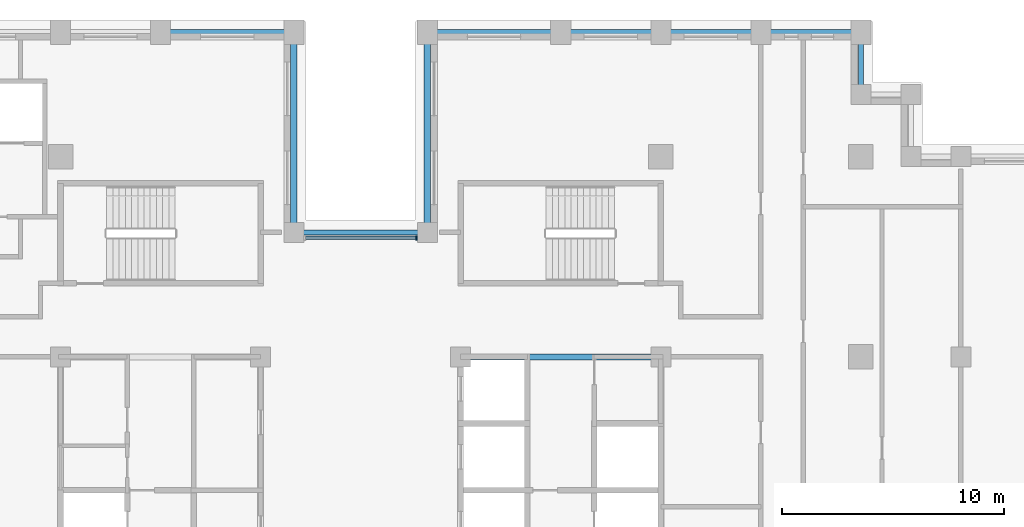
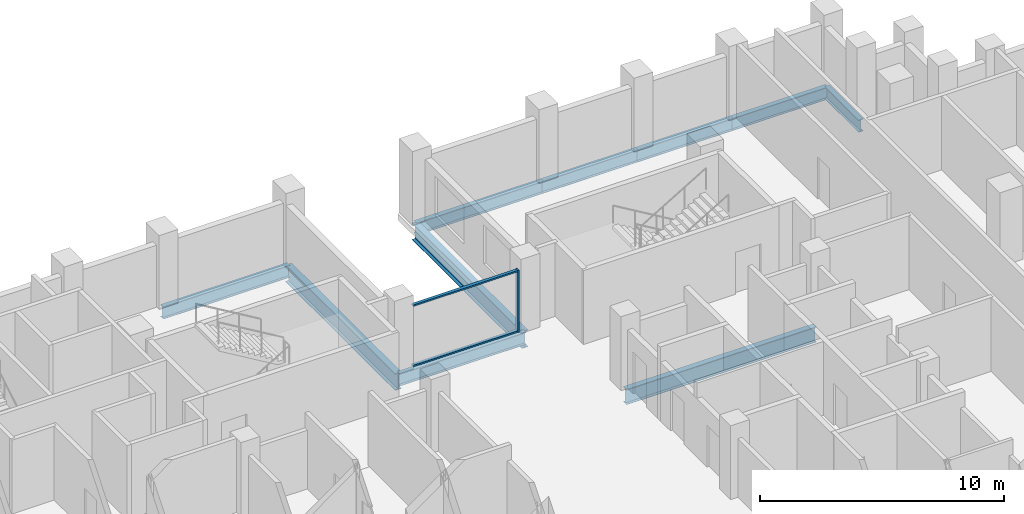
# One storey, part 4 of 16: 10 beams, 3 members, 1 element without a shape of its own.
"""IFC4 building model written with IfcOpenShell, lengths in metres."""

import ifcopenshell
import ifcopenshell.guid

model = None  # the IFC model being written
_history = None  # IfcOwnerHistory: only IFC2X3 demands one
_inside = {}  # id of a spatial element -> (the spatial element, [elements in it])
_under = {}  # id of a project, library or spatial element -> (it, [spatial elements below it])
_declared = {}  # id of a project -> (the project, [libraries it declares])
_typed = {}  # id of a type object -> (the type object, [elements of that type])
_made_of = {}  # id of a material, layer set ... -> (it, [elements and type objects made of it])


def new_model(schema):
    """Start an empty IFC model of exactly this schema.

    Asked for "IFC4X3", IfcOpenShell would pick the latest addendum, in which some entities
    have other attributes; the version numbers below select the first issue.
    IFC2X3 requires an IfcOwnerHistory on every rooted entity: one is made here for all.
    """
    global model, _history
    if schema == "IFC4X3":
        model = ifcopenshell.file(schema_version=(4, 3, 0, 0))
    else:
        model = ifcopenshell.file(schema=schema)
    _inside.clear()
    _under.clear()
    _declared.clear()
    _typed.clear()
    _made_of.clear()
    _history = None
    if model.schema == "IFC2X3":
        org = make("IfcOrganization", Name="unknown")
        user = make(
            "IfcPersonAndOrganization",
            ThePerson=make("IfcPerson", FamilyName="unknown"),
            TheOrganization=org,
        )
        app = make(
            "IfcApplication",
            ApplicationDeveloper=org,
            Version="unknown",
            ApplicationFullName="unknown",
            ApplicationIdentifier="unknown",
        )
        _history = make(
            "IfcOwnerHistory",
            OwningUser=user,
            OwningApplication=app,
            ChangeAction="ADDED",
            CreationDate=0,
        )
    return model


def make(cls, **values):
    """One entity of the class cls with the attributes given. An attribute that is None is left unset."""
    return model.create_entity(
        cls, **{name: value for name, value in values.items() if value is not None}
    )


def rooted(cls, **values):
    """An entity with a GlobalId (a new one), such as an element, a storey or a relation."""
    return make(cls, GlobalId=ifcopenshell.guid.new(), OwnerHistory=_history, **values)


def si_unit(unit_type, name, prefix=None):
    """IfcSIUnit, for example si_unit("LENGTHUNIT", "METRE", prefix="MILLI")."""
    return make("IfcSIUnit", UnitType=unit_type, Prefix=prefix, Name=name)


def assignment(units):
    """IfcUnitAssignment: the units of a project."""
    return None if units is None else make("IfcUnitAssignment", Units=units)


def point(xyz):
    """IfcCartesianPoint."""
    return None if xyz is None else make("IfcCartesianPoint", Coordinates=xyz)


def direction(xyz):
    """IfcDirection."""
    return None if xyz is None else make("IfcDirection", DirectionRatios=xyz)


def frame(location, z_axis=None, x_axis=None):
    """IfcAxis2Placement3D, a coordinate frame: its origin and axes. An axis left out is left unset."""
    return make(
        "IfcAxis2Placement3D",
        Location=point(location),
        Axis=direction(z_axis),
        RefDirection=direction(x_axis),
    )


def frame_2d(location, x_axis=None):
    """IfcAxis2Placement2D, a coordinate frame in the plane: its origin and x axis."""
    return make(
        "IfcAxis2Placement2D", Location=point(location), RefDirection=direction(x_axis)
    )


def origin():
    """The frame at (0, 0, 0) with its axes left unset."""
    return frame((0.0, 0.0, 0.0))


def origin_2d():
    """The frame at (0, 0) in the plane with its x axis left unset."""
    return frame_2d((0.0, 0.0))


def place(relative_to, where):
    """IfcLocalPlacement: puts the frame where relative to a parent placement (None: the world)."""
    return make(
        "IfcLocalPlacement", PlacementRelTo=relative_to, RelativePlacement=where
    )


def context(
    kind, dimensions, precision=None, world=None, true_north=None, identifier=None
):
    """IfcGeometricRepresentationContext, for example the 3D "Model" context."""
    return make(
        "IfcGeometricRepresentationContext",
        ContextIdentifier=identifier,
        ContextType=kind,
        CoordinateSpaceDimension=dimensions,
        Precision=precision,
        WorldCoordinateSystem=world,
        TrueNorth=true_north,
    )


def subcontext(parent, identifier, kind, view, scale=None):
    """IfcGeometricRepresentationSubContext, for example "Body" below "Model"."""
    return make(
        "IfcGeometricRepresentationSubContext",
        ContextIdentifier=identifier,
        ContextType=kind,
        ParentContext=parent,
        TargetScale=scale,
        TargetView=view,
    )


def project(units=None, contexts=None):
    """IfcProject with its units and contexts."""
    return rooted(
        "IfcProject",
        Name="project",
        RepresentationContexts=contexts,
        UnitsInContext=assignment(units),
    )


def spatial(cls, under=None, at=None, **own):
    """A site, building, storey or space (cls), placed at a placement, below another one or the project."""
    s = rooted(cls, ObjectPlacement=at, **own)
    if under is not None:
        _under.setdefault(under.id(), (under, []))[1].append(s)
    return s


def profile(cls, at=None, kind="AREA", **sizes):
    """A parametric profile (cls). Its sizes go by their IFC names, for example OverallWidth=200.0."""
    return make(cls, ProfileType=kind, Position=at, **sizes)


def rectangle(**sizes):
    """IfcRectangleProfileDef."""
    return profile("IfcRectangleProfileDef", **sizes)


def i_section(**sizes):
    """IfcIShapeProfileDef."""
    return profile("IfcIShapeProfileDef", **sizes)


def extrude(swept, where, along, depth):
    """IfcExtrudedAreaSolid: the profile swept, set in the frame where, extruded along a direction by depth."""
    return make(
        "IfcExtrudedAreaSolid",
        SweptArea=swept,
        Position=where,
        ExtrudedDirection=direction(along),
        Depth=depth,
    )


def shape(context_of_items, identifier, shape_type, items):
    """IfcShapeRepresentation: the items that make up one representation, for example the "Body"."""
    return make(
        "IfcShapeRepresentation",
        ContextOfItems=context_of_items,
        RepresentationIdentifier=identifier,
        RepresentationType=shape_type,
        Items=items,
    )


def material(Name=None, Category=None):
    """IfcMaterial."""
    return make("IfcMaterial", Name=Name, Category=Category)


def layer(
    of_material, thickness, ventilated=None, Name=None, Category=None, Priority=None
):
    """IfcMaterialLayer: one layer of a wall or slab, of a material (None: an air gap)."""
    return make(
        "IfcMaterialLayer",
        Material=of_material,
        LayerThickness=thickness,
        IsVentilated=ventilated,
        Name=Name,
        Category=Category,
        Priority=Priority,
    )


def layer_set(layers, Name=None):
    """IfcMaterialLayerSet."""
    return make("IfcMaterialLayerSet", MaterialLayers=layers, LayerSetName=Name)


def material_profile(
    of_material, cross_section, Name=None, Category=None, Priority=None
):
    """IfcMaterialProfile: a cross section and its material."""
    return make(
        "IfcMaterialProfile",
        Name=Name,
        Material=of_material,
        Profile=cross_section,
        Priority=Priority,
        Category=Category,
    )


def profile_set(profiles, Name=None, composite=None):
    """IfcMaterialProfileSet."""
    return make(
        "IfcMaterialProfileSet",
        Name=Name,
        MaterialProfiles=profiles,
        CompositeProfile=composite,
    )


def made_of(thing, what):
    """Note that an element or type object is made of a material, layer set ...; save() writes the relation."""
    if what is not None:
        _made_of.setdefault(what.id(), (what, []))[1].append(thing)
    return thing


def type_object(cls, material=None, **own):
    """A type object (cls), such as IfcWallType, which elements share."""
    return made_of(rooted(cls, **own), material)


def element(
    cls,
    number,
    at=None,
    inside=None,
    cuts=None,
    type_object=None,
    material=None,
    context=None,
    identifier="Body",
    shape_type=None,
    held_by="IfcProductDefinitionShape",
    body=None,
    shapes=None,
    **own,
):
    """One element of the class cls, such as IfcWall. Its Tag is "e" and its number.

    at: its placement. inside: the storey or other place that contains it. cuts: it is an
    opening in that element (IfcRelVoidsElement). A single representation is given by context,
    identifier, shape_type and body (its items); several are given by shapes. held_by: the class
    of the entity that holds the representations. save() writes the other relations.
    """
    e = rooted(cls, Tag="e%d" % number, ObjectPlacement=at, **own)
    if body is not None:
        shapes = [shape(context, identifier, shape_type, body)]
    if shapes is not None:
        e.Representation = make(held_by, Representations=shapes)
    if inside is not None:
        _inside.setdefault(inside.id(), (inside, []))[1].append(e)
    if cuts is not None:
        rooted(
            "IfcRelVoidsElement", RelatingBuildingElement=cuts, RelatedOpeningElement=e
        )
    if type_object is not None:
        _typed.setdefault(type_object.id(), (type_object, []))[1].append(e)
    return made_of(e, material)


def aggregate(whole, parts):
    """IfcRelAggregates: a whole, such as a stair, and the parts it consists of."""
    return rooted("IfcRelAggregates", RelatingObject=whole, RelatedObjects=parts)


def save(model, path):
    """Write the relations noted so far, then the file.

    IfcRelAggregates (storeys below a building ...), IfcRelContainedInSpatialStructure (elements
    in a storey), IfcRelDefinesByType, IfcRelAssociatesMaterial and IfcRelDeclares: one each for
    every whole, place, type object, material and project.
    """
    for whole, parts in _under.values():
        aggregate(whole, parts)
    for where, things in _inside.values():
        rooted(
            "IfcRelContainedInSpatialStructure",
            RelatedElements=things,
            RelatingStructure=where,
        )
    for kind, things in _typed.values():
        rooted("IfcRelDefinesByType", RelatedObjects=things, RelatingType=kind)
    for what, things in _made_of.values():
        rooted("IfcRelAssociatesMaterial", RelatedObjects=things, RelatingMaterial=what)
    for by, libraries in _declared.values():
        rooted("IfcRelDeclares", RelatingContext=by, RelatedDefinitions=libraries)
    model.write(path)


model = new_model("IFC4")

# Units and contexts
model_context = context("Model", 3, precision=1e-05, world=origin(), true_north=direction((0.0, 1.0)))
body_context = subcontext(model_context, "Body", "Model", "MODEL_VIEW")
ifc_project = project(units=[si_unit("LENGTHUNIT", "METRE"), si_unit("AREAUNIT", "SQUARE_METRE"), si_unit("VOLUMEUNIT", "CUBIC_METRE"), si_unit("PLANEANGLEUNIT", "RADIAN"), si_unit("MASSUNIT", "GRAM", prefix="KILO")], contexts=[model_context])

# Site, building, storey
site_placement = place(None, origin())
site = spatial("IfcSite", under=ifc_project, at=site_placement, CompositionType="ELEMENT")
building_placement = place(site_placement, origin())
building = spatial("IfcBuilding", under=site, at=building_placement, Name="Corbelhall Arena Tower", CompositionType="ELEMENT")
storey_placement = place(building_placement, frame((0.0, 0.0, 158.0)))
storey = spatial("IfcBuildingStorey", under=building, at=storey_placement, Name="L31", CompositionType="ELEMENT", Elevation=158.0)

# Curtain wall, members
ifc_material_1 = material(Name="Aluminium black anodised", Category="aluminium")
ifc_layer = layer(ifc_material_1, 0.199951171875)
ifc_layer_set = layer_set([ifc_layer], Name="EV-CW1 Slot back wall")
curtain_wall_type = type_object("IfcCurtainWallType", Name="EV-CW1 Slot back wall", PredefinedType="NOTDEFINED", material=ifc_layer_set)
curtain_wall_placement = place(storey_placement, origin())
curtain_wall = element("IfcCurtainWall", 1, at=curtain_wall_placement, inside=storey, type_object=curtain_wall_type, Name="Curtain wall CW1", PredefinedType="NOTDEFINED")
ifc_material_profile_1 = material_profile(ifc_material_1, rectangle(XDim=0.199951171875, YDim=0.074951171875, at=origin_2d()))
ifc_profile_set_1 = profile_set([ifc_material_profile_1], Name="Aluminium black anodised")
member_type_1 = type_object("IfcMemberType", Name="EV-CW1-MULLION", PredefinedType="MULLION", material=ifc_profile_set_1)
member_1_placement = place(storey_placement, frame((2.512451171875, 14.35009765625, 0.0), z_axis=(0.0, 0.0, 1.0), x_axis=(0.0, -1.0, 0.0)))
member_1 = element("IfcMember", 2, at=member_1_placement, type_object=member_type_1, Name="CW1 mullion 1", PredefinedType="MULLION", context=body_context, shape_type="SweptSolid", body=[
    extrude(rectangle(XDim=0.199951171875, YDim=0.074951171875, at=origin_2d()), origin(), (0.0, 0.0, 1.0), 3.10009765625),
])
ifc_material_profile_2 = material_profile(ifc_material_1, rectangle(XDim=0.14990234375, YDim=0.074951171875, at=origin_2d()))
ifc_profile_set_2 = profile_set([ifc_material_profile_2], Name="Aluminium black anodised")
member_type_2 = type_object("IfcMemberType", Name="EV-CW1-TRANSOM", PredefinedType="USERDEFINED", material=ifc_profile_set_2)
member_2_placement = place(storey_placement, frame((2.47509765625, 14.35009765625, 0.03759765625), z_axis=(-1.0, 0.0, 0.0), x_axis=(0.0, -1.0, 0.0)))
member_2 = element("IfcMember", 3, at=member_2_placement, type_object=member_type_2, Name="CW1 transom 1.1", ObjectType="transom", PredefinedType="USERDEFINED", context=body_context, shape_type="SweptSolid", body=[
    extrude(rectangle(XDim=0.14990234375, YDim=0.074951171875, at=origin_2d()), origin(), (0.0, 0.0, 1.0), 4.9501953125),
])
member_3_placement = place(storey_placement, frame((2.47509765625, 14.35009765625, 3.0625), z_axis=(-1.0, 0.0, 0.0), x_axis=(0.0, -1.0, 0.0)))
member_3 = element("IfcMember", 4, at=member_3_placement, type_object=member_type_2, Name="CW1 transom 1.2", ObjectType="transom", PredefinedType="USERDEFINED", context=body_context, shape_type="SweptSolid", body=[
    extrude(rectangle(XDim=0.14990234375, YDim=0.074951171875, at=origin_2d()), origin(), (0.0, 0.0, 1.0), 4.9501953125),
])
aggregate(curtain_wall, [member_1, member_2, member_3])

# Beams
ifc_material_2 = material(Name="Steel ASTM A992 Gr50", Category="steel")
ifc_material_profile_3 = material_profile(ifc_material_2, i_section(OverallWidth=0.2666015625, OverallDepth=0.761962890625, WebThickness=0.014404296875, FlangeThickness=0.021484375, at=origin_2d()))
ifc_profile_set_3 = profile_set([ifc_material_profile_3], Name="Steel ASTM A992 Gr50")
beam_type_1 = type_object("IfcBeamType", Name="ST-BEAM-W30x116", PredefinedType="BEAM", material=ifc_profile_set_3)
beam_1_placement = place(storey_placement, frame((4.5, 9.0, -0.680908203125), z_axis=(1.0, 0.0, 0.0), x_axis=(0.0, 1.0, 0.0)))
element("IfcBeam", 5, at=beam_1_placement, inside=storey, type_object=beam_type_1, Name="Beam CEE 12", PredefinedType="BEAM", context=body_context, shape_type="SweptSolid", body=[
    extrude(i_section(OverallWidth=0.2666015625, OverallDepth=0.761962890625, WebThickness=0.014404296875, FlangeThickness=0.021484375, at=origin_2d()), origin(), (0.0, 0.0, 1.0), 9.0),
])
ifc_material_profile_4 = material_profile(ifc_material_2, i_section(OverallWidth=0.22900390625, OverallDepth=0.612060546875, WebThickness=0.011962890625, FlangeThickness=0.01953125, at=origin_2d()))
ifc_profile_set_4 = profile_set([ifc_material_profile_4], Name="Steel ASTM A992 Gr50")
beam_type_2 = type_object("IfcBeamType", Name="ST-SPANDREL-W24x84", PredefinedType="SPANDREL", material=ifc_profile_set_4)
beam_2_placement = place(storey_placement, frame((3.0, 23.60009765625, -0.60595703125), z_axis=(1.0, 0.0, 0.0), x_axis=(0.0, 1.0, 0.0)))
element("IfcBeam", 6, at=beam_2_placement, inside=storey, type_object=beam_type_2, Name="Beam SP 17", PredefinedType="SPANDREL", context=body_context, shape_type="SweptSolid", body=[
    extrude(i_section(OverallWidth=0.22900390625, OverallDepth=0.612060546875, WebThickness=0.011962890625, FlangeThickness=0.01953125, at=origin_2d()), origin(), (0.0, 0.0, 1.0), 6.0),
])
for number, where, z_axis, x_axis, name in (
    (7, (9.0, 23.60009765625, -0.60595703125), (1.0, 0.0, 0.0), (0.0, 1.0, 0.0), "Beam SP 18"),
    (8, (13.5, 23.60009765625, -0.60595703125), (1.0, 0.0, 0.0), (0.0, 1.0, 0.0), "Beam SP 19"),
    (9, (18.0, 23.60009765625, -0.60595703125), (1.0, 0.0, 0.0), (0.0, 1.0, 0.0), "Beam SP 20"),
):
    element("IfcBeam", number, at=place(storey_placement, frame(where, z_axis=z_axis, x_axis=x_axis)), inside=storey, type_object=beam_type_2, Name=name, PredefinedType="SPANDREL", context=body_context, shape_type="SweptSolid", body=[
        extrude(i_section(OverallWidth=0.22900390625, OverallDepth=0.612060546875, WebThickness=0.011962890625, FlangeThickness=0.01953125, at=origin_2d()), origin(), (0.0, 0.0, 1.0), 4.5),
    ])
beam_3_placement = place(storey_placement, frame((22.5, 23.60009765625, -0.60595703125), z_axis=(0.0, -1.0, 0.0), x_axis=(1.0, 0.0, 0.0)))
element("IfcBeam", 10, at=beam_3_placement, inside=storey, type_object=beam_type_2, Name="Beam SP 21", PredefinedType="SPANDREL", context=body_context, shape_type="SweptSolid", body=[
    extrude(i_section(OverallWidth=0.22900390625, OverallDepth=0.612060546875, WebThickness=0.011962890625, FlangeThickness=0.01953125, at=origin_2d()), origin(), (0.0, 0.0, 1.0), 2.800048828125),
])
for number, where, z_axis, x_axis, name in (
    (11, (-9.0, 23.60009765625, -0.60595703125), (1.0, 0.0, 0.0), (0.0, 1.0, 0.0), "Beam SP 23"),
    (12, (-3.0, 14.60009765625, -0.60595703125), (1.0, 0.0, 0.0), (0.0, 1.0, 0.0), "Beam SP 40"),
):
    element("IfcBeam", number, at=place(storey_placement, frame(where, z_axis=z_axis, x_axis=x_axis)), inside=storey, type_object=beam_type_2, Name=name, PredefinedType="SPANDREL", context=body_context, shape_type="SweptSolid", body=[
        extrude(i_section(OverallWidth=0.22900390625, OverallDepth=0.612060546875, WebThickness=0.011962890625, FlangeThickness=0.01953125, at=origin_2d()), origin(), (0.0, 0.0, 1.0), 6.0),
    ])
ifc_material_profile_5 = material_profile(ifc_material_2, i_section(OverallWidth=0.2919921875, OverallDepth=0.845703125, WebThickness=0.015380859375, FlangeThickness=0.0244140625, at=origin_2d()))
ifc_profile_set_5 = profile_set([ifc_material_profile_5], Name="Steel ASTM A992 Gr50")
beam_type_3 = type_object("IfcBeamType", Name="ST-SPANDREL-W33x141", PredefinedType="SPANDREL", material=ifc_profile_set_5)
for number, where, z_axis, x_axis, name in (
    (13, (-3.0, 23.60009765625, -0.722900390625), (0.0, -1.0, 0.0), (1.0, 0.0, 0.0), "Beam SP 22"),
    (14, (3.0, 14.60009765625, -0.722900390625), (0.0, 1.0, 0.0), (-1.0, 0.0, 0.0), "Beam SP 39"),
):
    element("IfcBeam", number, at=place(storey_placement, frame(where, z_axis=z_axis, x_axis=x_axis)), inside=storey, type_object=beam_type_3, Name=name, PredefinedType="SPANDREL", context=body_context, shape_type="SweptSolid", body=[
        extrude(i_section(OverallWidth=0.2919921875, OverallDepth=0.845703125, WebThickness=0.015380859375, FlangeThickness=0.0244140625, at=origin_2d()), origin(), (0.0, 0.0, 1.0), 9.0),
    ])

save(model, "model.ifc")
